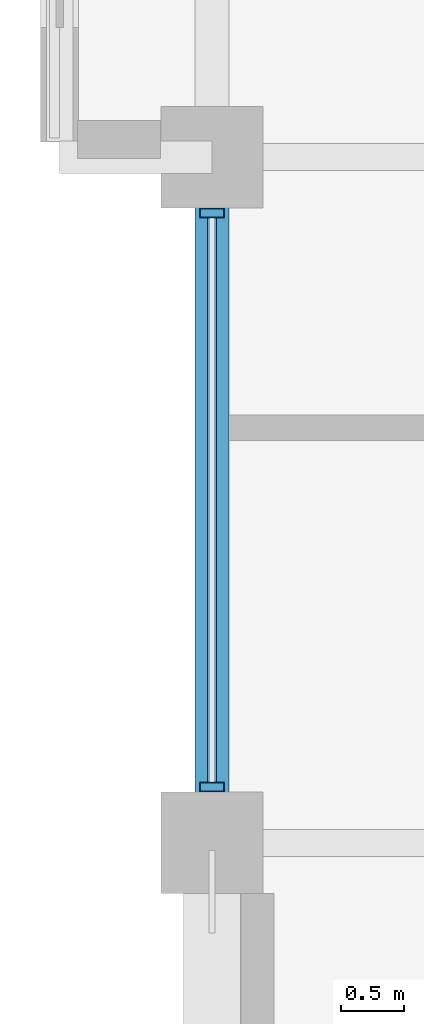
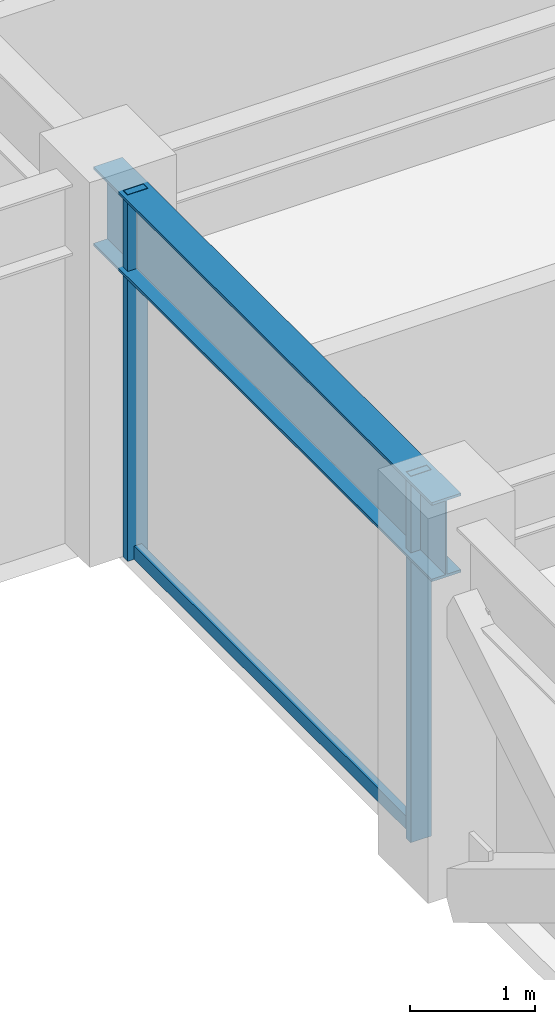
# One storey, part 4 of 30: 3 members, 1 beam, 1 element without a shape of its own.
"""IFC4 building model written with IfcOpenShell, lengths in metres."""

from ifc_helpers import new_model, si_unit, direction, frame, origin, origin_2d, place, context, subcontext, project, spatial, hollow_rectangle, i_section, extrude, material, layer, layer_set, material_profile, profile_set, type_object, element, aggregate, save


model = new_model("IFC4")

# Units and contexts
model_context = context("Model", 3, precision=1e-05, world=origin(), true_north=direction((0.0, 1.0)))
body_context = subcontext(model_context, "Body", "Model", "MODEL_VIEW")
ifc_project = project(units=[si_unit("LENGTHUNIT", "METRE"), si_unit("AREAUNIT", "SQUARE_METRE"), si_unit("VOLUMEUNIT", "CUBIC_METRE"), si_unit("PLANEANGLEUNIT", "RADIAN"), si_unit("MASSUNIT", "GRAM", prefix="KILO")], contexts=[model_context])

# Site, building, storey
site_placement = place(None, origin())
site = spatial("IfcSite", under=ifc_project, at=site_placement, CompositionType="ELEMENT")
building_placement = place(site_placement, origin())
building = spatial("IfcBuilding", under=site, at=building_placement, Name="Surkhivell Harbour Commons", CompositionType="ELEMENT")
storey_placement = place(building_placement, frame((0.0, 0.0, 231.0)))
storey = spatial("IfcBuildingStorey", under=building, at=storey_placement, Name="L60", CompositionType="ELEMENT", Elevation=231.0)

# Beam
ifc_material_1 = material(Name="Steel S355", Category="steel")
ifc_material_profile_1 = material_profile(ifc_material_1, i_section(OverallWidth=0.26806640625, OverallDepth=0.77001953125, WebThickness=0.015625, FlangeThickness=0.025390625, at=origin_2d()), Name="UB762x267x197")
ifc_profile_set_1 = profile_set([ifc_material_profile_1], Name="Steel S355")
beam_type = type_object("IfcBeamType", Name="BM-SPN-762", PredefinedType="SPANDREL", material=ifc_profile_set_1)
beam_placement = place(storey_placement, frame((-27.0, -10.800048828125, 3.18505859375), z_axis=(0.0, 1.0, 0.0), x_axis=(-1.0, 0.0, 0.0)))
element("IfcBeam", 1, at=beam_placement, inside=storey, type_object=beam_type, Name="L60 Tube Spandrel (-27.0,-10.8)", PredefinedType="SPANDREL", context=body_context, shape_type="SweptSolid", body=[
    extrude(i_section(OverallWidth=0.26806640625, OverallDepth=0.77001953125, WebThickness=0.015625, FlangeThickness=0.025390625, at=origin_2d()), origin(), (0.0, 0.0, 1.0), 5.400146484375),
])

# Curtain wall, members
ifc_material_2 = material(Name="Anodised pale-metal aluminium and insulated glazing", Category="aluminium")
ifc_layer = layer(ifc_material_2, 0.18994140625)
ifc_layer_set = layer_set([ifc_layer], Name="Anodised pale-metal aluminium and insulated glazing")
curtain_wall_type = type_object("IfcCurtainWallType", Name="CW-SYS-Z3", PredefinedType="NOTDEFINED", material=ifc_layer_set)
curtain_wall_placement = place(storey_placement, origin())
curtain_wall = element("IfcCurtainWall", 2, at=curtain_wall_placement, inside=storey, type_object=curtain_wall_type, Name="L60 Curtain Wall CW-L60-E12R1S1", PredefinedType="NOTDEFINED")
ifc_material_3 = material(Name="Anodised pale-metal aluminium alloy 6063-T6", Category="aluminium")
ifc_material_profile_2 = material_profile(ifc_material_3, hollow_rectangle(XDim=0.074951171875, YDim=0.18994140625, WallThickness=0.00390625, at=origin_2d()), Name="ALU-MULL-75x190")
ifc_profile_set_2 = profile_set([ifc_material_profile_2], Name="Anodised pale-metal aluminium alloy 6063-T6")
member_type_1 = type_object("IfcMemberType", Name="CWM-190", PredefinedType="MULLION", material=ifc_profile_set_2)
member_1_placement = place(storey_placement, frame((-27.0, -10.360595703125, 0.0), z_axis=(0.0, 0.0, 1.0), x_axis=(0.0, 1.0, 0.0)))
member_1 = element("IfcMember", 3, at=member_1_placement, type_object=member_type_1, Name="CW-Z3 mullion 1", PredefinedType="MULLION", context=body_context, shape_type="SweptSolid", body=[
    extrude(hollow_rectangle(XDim=0.074951171875, YDim=0.18994140625, WallThickness=0.00390625, at=origin_2d()), origin(), (0.0, 0.0, 1.0), 3.570068359375),
])
member_2_placement = place(storey_placement, frame((-27.0, -5.839599609375, 0.0), z_axis=(0.0, 0.0, 1.0), x_axis=(0.0, 1.0, 0.0)))
member_2 = element("IfcMember", 4, at=member_2_placement, type_object=member_type_1, Name="CW-Z3 mullion 2", PredefinedType="MULLION", context=body_context, shape_type="SweptSolid", body=[
    extrude(hollow_rectangle(XDim=0.074951171875, YDim=0.18994140625, WallThickness=0.00390625, at=origin_2d()), origin(), (0.0, 0.0, 1.0), 3.570068359375),
])
ifc_material_4 = material(Name="Champagne anodised aluminium alloy 6063-T6", Category="aluminium")
ifc_material_profile_3 = material_profile(ifc_material_4, hollow_rectangle(XDim=0.070068359375, YDim=0.1298828125, WallThickness=0.00341796875, at=origin_2d()), Name="ALU-TRAN-70x130")
ifc_profile_set_3 = profile_set([ifc_material_profile_3], Name="Champagne anodised aluminium alloy 6063-T6")
member_type_2 = type_object("IfcMemberType", Name="CWT-130", PredefinedType="USERDEFINED", material=ifc_profile_set_3)
member_3_placement = place(storey_placement, frame((-27.0, -10.322998046875, 0.06494140625), z_axis=(0.0, 1.0, 0.0), x_axis=(-1.0, 0.0, 0.0)))
member_3 = element("IfcMember", 5, at=member_3_placement, type_object=member_type_2, Name="CW-Z3 transom 1.1", ObjectType="TRANSOM", PredefinedType="USERDEFINED", context=body_context, shape_type="SweptSolid", body=[
    extrude(hollow_rectangle(XDim=0.070068359375, YDim=0.1298828125, WallThickness=0.00341796875, at=origin_2d()), origin(), (0.0, 0.0, 1.0), 4.446044921875),
])
aggregate(curtain_wall, [member_1, member_2, member_3])

save(model, "model.ifc")
